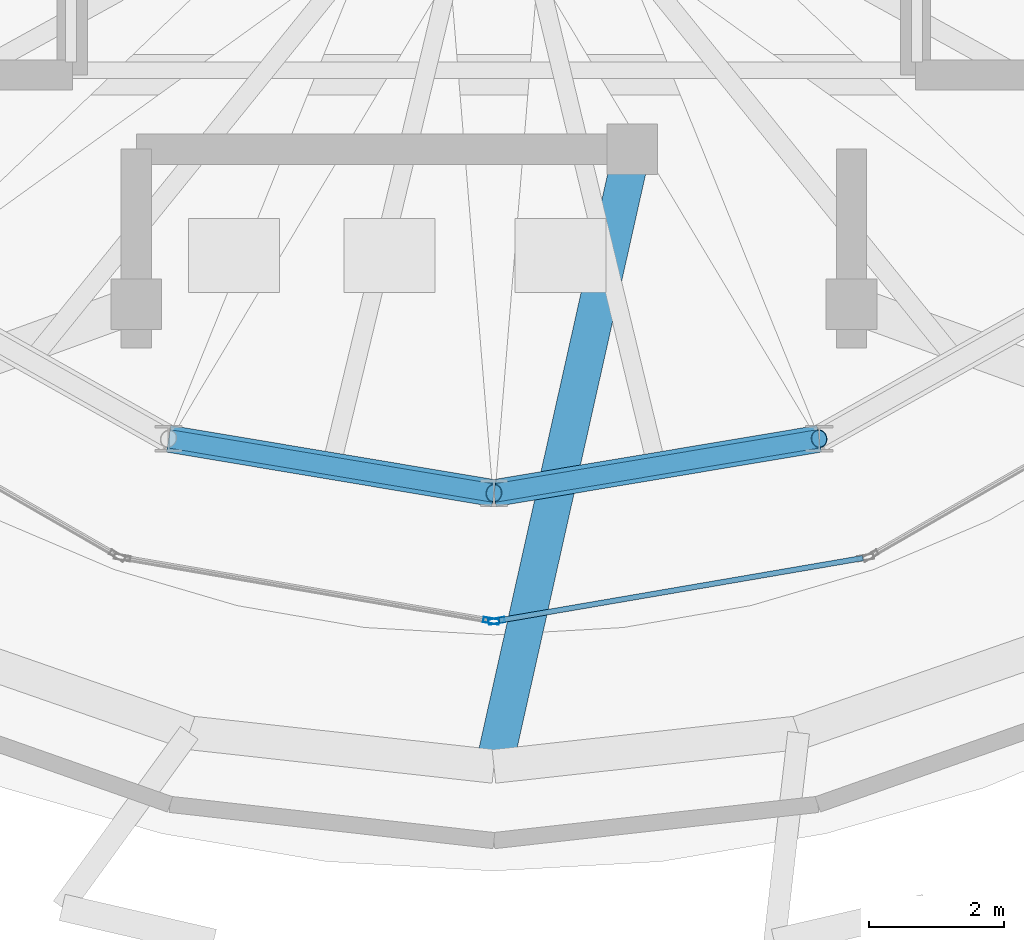
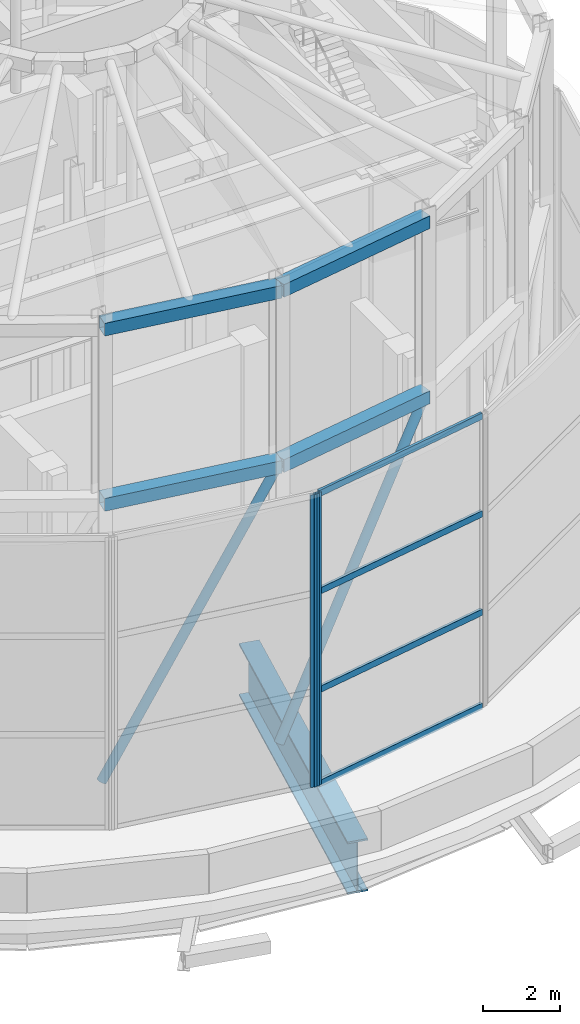
# One storey, part 5 of 22: 8 members, 5 beams, 2 elements without a shape of their own.
"""IFC4 building model written with IfcOpenShell, lengths in metres."""

from ifc_helpers import new_model, si_unit, direction, frame, origin, origin_2d, place, context, subcontext, project, spatial, hollow_rectangle, hollow_circle, i_section, extrude, material, layer, layer_set, material_profile, profile_set, type_object, element, aggregate, save


model = new_model("IFC4")

# Units and contexts
model_context = context("Model", 3, precision=1e-05, world=origin(), true_north=direction((0.0, 1.0)))
body_context = subcontext(model_context, "Body", "Model", "MODEL_VIEW")
ifc_project = project(units=[si_unit("LENGTHUNIT", "METRE"), si_unit("AREAUNIT", "SQUARE_METRE"), si_unit("VOLUMEUNIT", "CUBIC_METRE"), si_unit("PLANEANGLEUNIT", "RADIAN"), si_unit("MASSUNIT", "GRAM", prefix="KILO")], contexts=[model_context])

# Site, building, storey
site_placement = place(None, origin())
site = spatial("IfcSite", under=ifc_project, at=site_placement, CompositionType="ELEMENT")
building_placement = place(site_placement, origin())
building = spatial("IfcBuilding", under=site, at=building_placement, Name="Nuhasar Tower", CompositionType="ELEMENT")
storey_placement = place(building_placement, frame((0.0, 0.0, 313.39990234375)))
storey = spatial("IfcBuildingStorey", under=building, at=storey_placement, Name="Roof Drum", CompositionType="ELEMENT", Elevation=313.39990234375)

# Beams
ifc_material_1 = material(Name="Steel S355", Category="steel")
ifc_material_profile_1 = material_profile(ifc_material_1, hollow_rectangle(XDim=0.39990234375, YDim=0.39990234375, WallThickness=0.01611328125, at=origin_2d()), Name="HSS400X400X16")
ifc_profile_set_1 = profile_set([ifc_material_profile_1], Name="Steel S355")
beam_type_1 = type_object("IfcBeamType", Name="BM-CRN-HSS400", PredefinedType="SPANDREL", material=ifc_profile_set_1)
for number, where, z_axis, x_axis, name in (
    (1, (34.177978515625, 17.007080078125, 9.02001953125), (0.986278966658, -0.165087249444, 0.0), (0.165087249444, 0.986278966658, 0.0), "Crown Drum Eave Ring Beam 12"),
    (2, (34.177978515625, 17.007080078125, 14.5400390625), (0.986278966658, -0.165087249444, 0.0), (0.165087249444, 0.986278966658, 0.0), "Crown Drum Top Ring Beam 12"),
    (3, (39.0, 16.199951171875, 9.02001953125), (0.986278966658, 0.165087249444, 0.0), (-0.165087249444, 0.986278966658, 0.0), "Crown Drum Eave Ring Beam 13"),
    (4, (39.0, 16.199951171875, 14.5400390625), (0.986278966658, 0.165087249444, 0.0), (-0.165087249444, 0.986278966658, 0.0), "Crown Drum Top Ring Beam 13"),
):
    element("IfcBeam", number, at=place(storey_placement, frame(where, z_axis=z_axis, x_axis=x_axis)), inside=storey, type_object=beam_type_1, Name=name, PredefinedType="SPANDREL", context=body_context, shape_type="SweptSolid", body=[
        extrude(hollow_rectangle(XDim=0.39990234375, YDim=0.39990234375, WallThickness=0.01611328125, at=origin_2d()), origin(), (0.0, 0.0, 1.0), 4.88916015625),
    ])
ifc_material_2 = material(Name="Steel S460", Category="steel")
ifc_material_profile_2 = material_profile(ifc_material_2, i_section(OverallWidth=0.550048828125, OverallDepth=1.64990234375, WebThickness=0.031982421875, FlangeThickness=0.054931640625, at=origin_2d()), Name="PG1650X550")
ifc_profile_set_2 = profile_set([ifc_material_profile_2], Name="Steel S460")
beam_type_2 = type_object("IfcBeamType", Name="BM-XFER-PG1650", PredefinedType="USERDEFINED", material=ifc_profile_set_2)
beam_placement = place(storey_placement, frame((41.050048828125, 21.300048828125, -1.244873046875), z_axis=(-0.21862554341, -0.97580882952, 0.0), x_axis=(0.97580882952, -0.21862554341, 0.0)))
element("IfcBeam", 5, at=beam_placement, inside=storey, type_object=beam_type_2, Name="Roof Drum Primary Radial Transfer Girder 02", ObjectType="GIRDER", PredefinedType="USERDEFINED", context=body_context, shape_type="SweptSolid", body=[
    extrude(i_section(OverallWidth=0.550048828125, OverallDepth=1.64990234375, WebThickness=0.031982421875, FlangeThickness=0.054931640625, at=origin_2d()), origin(), (0.0, 0.0, 1.0), 9.376953125),
])

# Members
ifc_material_profile_3 = material_profile(ifc_material_1, hollow_circle(Radius=0.136474609375, WallThickness=0.0126953125, at=origin_2d()), Name="HSS273.1X12.7")
ifc_profile_set_3 = profile_set([ifc_material_profile_3], Name="Steel S355")
member_type_1 = type_object("IfcMemberType", Name="CRN-DIAG-273", PredefinedType="BRACE", material=ifc_profile_set_3)
for number, where, z_axis, x_axis, name in (
    (6, (34.177978515625, 17.007080078125, 0.2001953125), (0.478172244585, -0.080038349481, 0.874611437794), (0.165087249444, 0.986278966658, 0.0), "Crown Drum Frame Brace 12"),
    (7, (39.0, 16.199951171875, 0.2001953125), (0.478172244585, 0.080038349481, 0.874611437794), (-0.165087249444, 0.986278966658, 0.0), "Crown Drum Frame Brace 13"),
):
    element("IfcMember", number, at=place(storey_placement, frame(where, z_axis=z_axis, x_axis=x_axis)), inside=storey, type_object=member_type_1, Name=name, PredefinedType="BRACE", context=body_context, shape_type="SweptSolid", body=[
        extrude(hollow_circle(Radius=0.136474609375, WallThickness=0.0126953125, at=origin_2d()), origin(), (0.0, 0.0, 1.0), 10.084228515625),
    ])

# Curtain wall, member
ifc_material_3 = material(Name="Aluminium 6063-T6", Category="aluminium")
ifc_layer = layer(ifc_material_3, 0.219970703125)
ifc_layer_set = layer_set([ifc_layer], Name="Aluminium 6063-T6")
curtain_wall_type = type_object("IfcCurtainWallType", Name="CW-CROWN", PredefinedType="NOTDEFINED", material=ifc_layer_set)
curtain_wall_1_placement = place(storey_placement, origin())
curtain_wall_1 = element("IfcCurtainWall", 8, at=curtain_wall_1_placement, inside=storey, type_object=curtain_wall_type, Name="Crown Lantern Curtain Wall 12", PredefinedType="NOTDEFINED")
ifc_material_profile_4 = material_profile(ifc_material_3, hollow_rectangle(XDim=0.080078125, YDim=0.239990234375, WallThickness=0.0048828125, at=origin_2d()), Name="CWM-7")
ifc_profile_set_4 = profile_set([ifc_material_profile_4], Name="Aluminium 6063-T6")
member_type_2 = type_object("IfcMemberType", Name="CW-MUL-S7", PredefinedType="MULLION", material=ifc_profile_set_4)
member_1_placement = place(storey_placement, frame((38.960693359375, 14.306884765625, 0.0), z_axis=(0.0, 0.0, 1.0), x_axis=(0.169091991353, 0.985600273164, 0.0)))
member_1 = element("IfcMember", 9, at=member_1_placement, type_object=member_type_2, Name="CW-CR mullion 2", PredefinedType="MULLION", context=body_context, shape_type="SweptSolid", body=[
    extrude(hollow_rectangle(XDim=0.080078125, YDim=0.239990234375, WallThickness=0.0048828125, at=origin_2d()), origin(), (0.0, 0.0, 1.0), 9.22021484375),
])
aggregate(curtain_wall_1, [member_1])

# Curtain wall, members
curtain_wall_2_placement = place(storey_placement, origin())
curtain_wall_2 = element("IfcCurtainWall", 10, at=curtain_wall_2_placement, inside=storey, type_object=curtain_wall_type, Name="Crown Lantern Curtain Wall 13", PredefinedType="NOTDEFINED")
member_2_placement = place(storey_placement, frame((39.039306640625, 14.306884765625, 0.0), z_axis=(0.0, 0.0, 1.0), x_axis=(-0.169091991353, 0.985600273164, 0.0)))
member_2 = element("IfcMember", 11, at=member_2_placement, type_object=member_type_2, Name="CW-CR mullion 1", PredefinedType="MULLION", context=body_context, shape_type="SweptSolid", body=[
    extrude(hollow_rectangle(XDim=0.080078125, YDim=0.239990234375, WallThickness=0.0048828125, at=origin_2d()), origin(), (0.0, 0.0, 1.0), 9.22021484375),
])
ifc_material_profile_5 = material_profile(ifc_material_3, hollow_rectangle(XDim=0.080078125, YDim=0.199951171875, WallThickness=0.00439453125, at=origin_2d()), Name="CWT-7")
ifc_profile_set_5 = profile_set([ifc_material_profile_5], Name="Aluminium 6063-T6")
member_type_3 = type_object("IfcMemberType", Name="CW-TRN-S7", PredefinedType="USERDEFINED", material=ifc_profile_set_5)
member_3_placement = place(storey_placement, frame((39.078857421875, 14.3134765625, 0.0400390625), z_axis=(0.985597397755, 0.169108750627, 0.0), x_axis=(-0.169108750627, 0.985597397755, 0.0)))
member_3 = element("IfcMember", 12, at=member_3_placement, type_object=member_type_3, Name="CW-CR transom 1.1", ObjectType="TRANSOM", PredefinedType="USERDEFINED", context=body_context, shape_type="SweptSolid", body=[
    extrude(hollow_rectangle(XDim=0.080078125, YDim=0.199951171875, WallThickness=0.00439453125, at=origin_2d()), origin(), (0.0, 0.0, 1.0), 5.47021484375),
])
member_4_placement = place(storey_placement, frame((39.078857421875, 14.3134765625, 3.0), z_axis=(0.985597397755, 0.169108750627, 0.0), x_axis=(-0.169108750627, 0.985597397755, 0.0)))
member_4 = element("IfcMember", 13, at=member_4_placement, type_object=member_type_3, Name="CW-CR transom 1.2", ObjectType="TRANSOM", PredefinedType="USERDEFINED", context=body_context, shape_type="SweptSolid", body=[
    extrude(hollow_rectangle(XDim=0.080078125, YDim=0.199951171875, WallThickness=0.00439453125, at=origin_2d()), origin(), (0.0, 0.0, 1.0), 5.47021484375),
])
member_5_placement = place(storey_placement, frame((39.078857421875, 14.3134765625, 6.10009765625), z_axis=(0.985597397755, 0.169108750627, 0.0), x_axis=(-0.169108750627, 0.985597397755, 0.0)))
member_5 = element("IfcMember", 14, at=member_5_placement, type_object=member_type_3, Name="CW-CR transom 1.3", ObjectType="TRANSOM", PredefinedType="USERDEFINED", context=body_context, shape_type="SweptSolid", body=[
    extrude(hollow_rectangle(XDim=0.080078125, YDim=0.199951171875, WallThickness=0.00439453125, at=origin_2d()), origin(), (0.0, 0.0, 1.0), 5.47021484375),
])
member_6_placement = place(storey_placement, frame((39.078857421875, 14.3134765625, 9.18017578125), z_axis=(0.985597397755, 0.169108750627, 0.0), x_axis=(-0.169108750627, 0.985597397755, 0.0)))
member_6 = element("IfcMember", 15, at=member_6_placement, type_object=member_type_3, Name="CW-CR transom 1.4", ObjectType="TRANSOM", PredefinedType="USERDEFINED", context=body_context, shape_type="SweptSolid", body=[
    extrude(hollow_rectangle(XDim=0.080078125, YDim=0.199951171875, WallThickness=0.00439453125, at=origin_2d()), origin(), (0.0, 0.0, 1.0), 5.47021484375),
])
aggregate(curtain_wall_2, [member_2, member_3, member_4, member_5, member_6])

save(model, "model.ifc")
